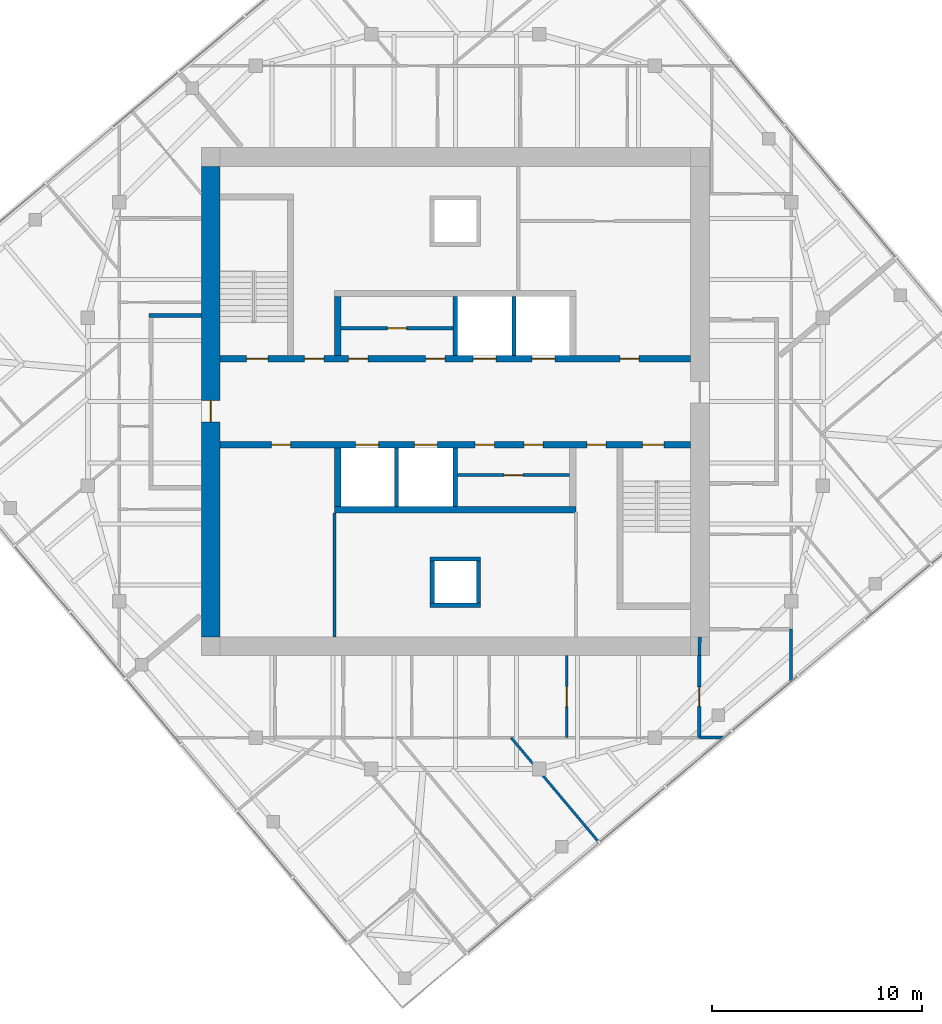
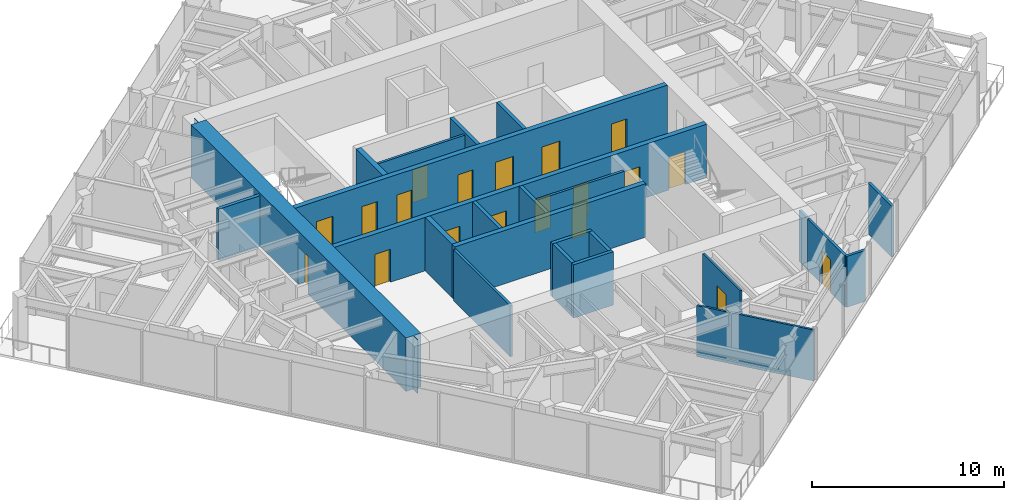
# One storey, part 8 of 12: 24 walls, 19 doors, 19 openings.
"""IFC4 building model written with IfcOpenShell, lengths in metres."""

from ifc_helpers import new_model, si_unit, direction, frame, frame_2d, origin, place, context, subcontext, project, spatial, polyline, rectangle, outline, extrude, material, layer, layer_set, type_object, element, fill, save


model = new_model("IFC4")

# Units and contexts
model_context = context("Model", 3, precision=1e-05, world=origin(), true_north=direction((0.0, 1.0)))
body_context = subcontext(model_context, "Body", "Model", "MODEL_VIEW")
ifc_project = project(units=[si_unit("LENGTHUNIT", "METRE"), si_unit("AREAUNIT", "SQUARE_METRE"), si_unit("VOLUMEUNIT", "CUBIC_METRE"), si_unit("PLANEANGLEUNIT", "RADIAN"), si_unit("MASSUNIT", "GRAM", prefix="KILO")], contexts=[model_context])

# Site, building, storey
site_placement = place(None, origin())
site = spatial("IfcSite", under=ifc_project, at=site_placement, CompositionType="ELEMENT")
building_placement = place(site_placement, origin())
building = spatial("IfcBuilding", under=site, at=building_placement, Name="Torsade Residences", CompositionType="ELEMENT")
storey_placement = place(building_placement, frame((0.0, 0.0, 286.199951171875)))
storey = spatial("IfcBuildingStorey", under=building, at=storey_placement, Name="L79", CompositionType="ELEMENT", Elevation=286.199951171875)

# Wall, openings, doors
ifc_material_1 = material(Name="Concrete 80 MPa", Category="concrete")
ifc_layer_1 = layer(ifc_material_1, 0.300048828125)
ifc_layer_set_1 = layer_set([ifc_layer_1], Name="Concrete 80 MPa")
wall_type_1 = type_object("IfcWallType", Name="CORE INTERNAL WALL 300", PredefinedType="SHEAR", material=ifc_layer_set_1)
wall_1_placement = place(storey_placement, frame((28.800048828125, 32.050048828125, 0.0), z_axis=(0.0, 0.0, 1.0), x_axis=(1.0, 0.0, 0.0)))
wall_1 = element("IfcWall", 1, at=wall_1_placement, inside=storey, type_object=wall_type_1, Name="Core wall LN L79", PredefinedType="SHEAR", context=body_context, shape_type="SweptSolid", body=[
    extrude(rectangle(XDim=22.39990234375, YDim=0.300048828125, at=frame_2d((11.199951171875, 0.0))), origin(), (0.0, 0.0, 1.0), 3.400146484375),
])
opening_1_placement = place(wall_1_placement, frame((19.0400390625, 0.0, 0.0)))
opening_1 = element("IfcOpeningElement", 2, at=opening_1_placement, cuts=wall_1, Name="Opening D06", PredefinedType="OPENING", context=body_context, shape_type="SweptSolid", body=[
    extrude(rectangle(XDim=0.919921875, YDim=2.10009765625, at=frame_2d((0.4599609375, 1.050048828125))), frame((0.0, 0.159912109375, 0.0), z_axis=(0.0, -1.0, 0.0), x_axis=(1.0, 0.0, 0.0)), (0.0, 0.0, 1.0), 0.320068359375),
])
opening_2_placement = place(wall_1_placement, frame((1.264892578125, 0.0, 0.0)))
opening_2 = element("IfcOpeningElement", 3, at=opening_2_placement, cuts=wall_1, Name="Opening D03", PredefinedType="OPENING", context=body_context, shape_type="SweptSolid", body=[
    extrude(rectangle(XDim=1.02001953125, YDim=2.10009765625, at=frame_2d((0.510009765625, 1.050048828125))), frame((0.0, 0.159912109375, 0.0), z_axis=(0.0, -1.0, 0.0), x_axis=(1.0, 0.0, 0.0)), (0.0, 0.0, 1.0), 0.320068359375),
])
opening_3_placement = place(wall_1_placement, frame((4.014892578125, 0.0, 0.0)))
opening_3 = element("IfcOpeningElement", 4, at=opening_3_placement, cuts=wall_1, Name="Opening D06", PredefinedType="OPENING", context=body_context, shape_type="SweptSolid", body=[
    extrude(rectangle(XDim=0.919921875, YDim=2.10009765625, at=frame_2d((0.4599609375, 1.050048828125))), frame((0.0, 0.159912109375, 0.0), z_axis=(0.0, -1.0, 0.0), x_axis=(1.0, 0.0, 0.0)), (0.0, 0.0, 1.0), 0.320068359375),
])
opening_4_placement = place(wall_1_placement, frame((6.114990234375, 0.0, 0.0)))
opening_4 = element("IfcOpeningElement", 5, at=opening_4_placement, cuts=wall_1, Name="Opening D06", PredefinedType="OPENING", context=body_context, shape_type="SweptSolid", body=[
    extrude(rectangle(XDim=0.919921875, YDim=2.10009765625, at=frame_2d((0.4599609375, 1.050048828125))), frame((0.0, 0.159912109375, 0.0), z_axis=(0.0, -1.0, 0.0), x_axis=(1.0, 0.0, 0.0)), (0.0, 0.0, 1.0), 0.320068359375),
])
opening_5_placement = place(wall_1_placement, frame((9.7900390625, 0.0, 0.0)))
opening_5 = element("IfcOpeningElement", 6, at=opening_5_placement, cuts=wall_1, Name="Opening D06", PredefinedType="OPENING", context=body_context, shape_type="SweptSolid", body=[
    extrude(rectangle(XDim=0.919921875, YDim=2.10009765625, at=frame_2d((0.4599609375, 1.050048828125))), frame((0.0, 0.159912109375, 0.0), z_axis=(0.0, -1.0, 0.0), x_axis=(1.0, 0.0, 0.0)), (0.0, 0.0, 1.0), 0.320068359375),
])
opening_6_placement = place(wall_1_placement, frame((12.050048828125, 0.0, 0.0)))
opening_6 = element("IfcOpeningElement", 7, at=opening_6_placement, cuts=wall_1, Name="Opening LD", PredefinedType="OPENING", context=body_context, shape_type="SweptSolid", body=[
    extrude(rectangle(XDim=1.10009765625, YDim=2.10009765625, at=frame_2d((0.550048828125, 1.050048828125))), frame((0.0, 0.159912109375, 0.0), z_axis=(0.0, -1.0, 0.0), x_axis=(1.0, 0.0, 0.0)), (0.0, 0.0, 1.0), 0.320068359375),
])
opening_7_placement = place(wall_1_placement, frame((14.85009765625, 0.0, 0.0)))
opening_7 = element("IfcOpeningElement", 8, at=opening_7_placement, cuts=wall_1, Name="Opening LD", PredefinedType="OPENING", context=body_context, shape_type="SweptSolid", body=[
    extrude(rectangle(XDim=1.10009765625, YDim=2.10009765625, at=frame_2d((0.550048828125, 1.050048828125))), frame((0.0, 0.159912109375, 0.0), z_axis=(0.0, -1.0, 0.0), x_axis=(1.0, 0.0, 0.0)), (0.0, 0.0, 1.0), 0.320068359375),
])
ifc_material_2 = material(Name="Steel-framed fire door", Category="steel")
door_type_1 = type_object("IfcDoorType", Name="FIRE DOOR 1020", OperationType="NOTDEFINED", PredefinedType="DOOR", material=ifc_material_2)
door_1_placement = place(opening_2_placement, origin())
door_1 = element("IfcDoor", 9, at=door_1_placement, inside=storey, type_object=door_type_1, Name="Exit door to fire-isolated stair ST1 L79", OperationType="SINGLE_SWING_RIGHT", OverallHeight=2.10009765625, OverallWidth=1.02001953125, PredefinedType="DOOR", context=body_context, shape_type="SweptSolid", body=[
    extrude(rectangle(XDim=1.02001953125, YDim=2.10009765625, at=frame_2d((0.510009765625, 1.050048828125))), frame((0.0, 0.02490234375, 0.0), z_axis=(0.0, -1.0, 0.0), x_axis=(1.0, 0.0, 0.0)), (0.0, 0.0, 1.0), 0.050048828125),
])
fill(opening_2, door_1)
ifc_material_3 = material(Name="Steel-framed fire door", Category="steel")
door_type_2 = type_object("IfcDoorType", Name="FIRE DOOR 920", OperationType="NOTDEFINED", PredefinedType="DOOR", material=ifc_material_3)
door_2_placement = place(opening_1_placement, origin())
door_2 = element("IfcDoor", 10, at=door_2_placement, inside=storey, type_object=door_type_2, Name="Door Lift lobby to Refuse room", OperationType="SINGLE_SWING_LEFT", OverallHeight=2.10009765625, OverallWidth=0.919921875, PredefinedType="DOOR", context=body_context, shape_type="SweptSolid", body=[
    extrude(rectangle(XDim=0.919921875, YDim=2.10009765625, at=frame_2d((0.4599609375, 1.050048828125))), frame((0.0, 0.02490234375, 0.0), z_axis=(0.0, -1.0, 0.0), x_axis=(1.0, 0.0, 0.0)), (0.0, 0.0, 1.0), 0.050048828125),
])
fill(opening_1, door_2)
door_3_placement = place(opening_3_placement, origin())
door_3 = element("IfcDoor", 11, at=door_3_placement, inside=storey, type_object=door_type_2, Name="Door Lift lobby to Electrical riser room", OperationType="SINGLE_SWING_LEFT", OverallHeight=2.10009765625, OverallWidth=0.919921875, PredefinedType="DOOR", context=body_context, shape_type="SweptSolid", body=[
    extrude(rectangle(XDim=0.919921875, YDim=2.10009765625, at=frame_2d((0.4599609375, 1.050048828125))), frame((0.0, 0.02490234375, 0.0), z_axis=(0.0, -1.0, 0.0), x_axis=(1.0, 0.0, 0.0)), (0.0, 0.0, 1.0), 0.050048828125),
])
fill(opening_3, door_3)
door_4_placement = place(opening_4_placement, origin())
door_4 = element("IfcDoor", 12, at=door_4_placement, inside=storey, type_object=door_type_2, Name="Door Lift lobby to Communications room L79A", OperationType="SINGLE_SWING_LEFT", OverallHeight=2.10009765625, OverallWidth=0.919921875, PredefinedType="DOOR", context=body_context, shape_type="SweptSolid", body=[
    extrude(rectangle(XDim=0.919921875, YDim=2.10009765625, at=frame_2d((0.4599609375, 1.050048828125))), frame((0.0, 0.02490234375, 0.0), z_axis=(0.0, -1.0, 0.0), x_axis=(1.0, 0.0, 0.0)), (0.0, 0.0, 1.0), 0.050048828125),
])
fill(opening_4, door_4)
door_5_placement = place(opening_5_placement, origin())
door_5 = element("IfcDoor", 13, at=door_5_placement, inside=storey, type_object=door_type_2, Name="Door Lift lobby to Communications room L79A", OperationType="SINGLE_SWING_RIGHT", OverallHeight=2.10009765625, OverallWidth=0.919921875, PredefinedType="DOOR", context=body_context, shape_type="SweptSolid", body=[
    extrude(rectangle(XDim=0.919921875, YDim=2.10009765625, at=frame_2d((0.4599609375, 1.050048828125))), frame((0.0, 0.02490234375, 0.0), z_axis=(0.0, -1.0, 0.0), x_axis=(1.0, 0.0, 0.0)), (0.0, 0.0, 1.0), 0.050048828125),
])
fill(opening_5, door_5)
ifc_material_4 = material(Name="Stainless steel lift landing door", Category="steel")
door_type_3 = type_object("IfcDoorType", Name="LIFT LANDING DOOR 1100", OperationType="SLIDING_TO_LEFT", PredefinedType="DOOR", material=ifc_material_4)
door_6_placement = place(opening_6_placement, origin())
door_6 = element("IfcDoor", 14, at=door_6_placement, inside=storey, type_object=door_type_3, Name="Lift LA3 landing door L79", OperationType="SLIDING_TO_LEFT", OverallHeight=2.10009765625, OverallWidth=1.10009765625, PredefinedType="DOOR", context=body_context, shape_type="SweptSolid", body=[
    extrude(rectangle(XDim=1.10009765625, YDim=2.10009765625, at=frame_2d((0.550048828125, 1.050048828125))), frame((0.0, 0.02490234375, 0.0), z_axis=(0.0, -1.0, 0.0), x_axis=(1.0, 0.0, 0.0)), (0.0, 0.0, 1.0), 0.050048828125),
])
fill(opening_6, door_6)
door_7_placement = place(opening_7_placement, origin())
door_7 = element("IfcDoor", 15, at=door_7_placement, inside=storey, type_object=door_type_3, Name="Lift FL1 landing door L79", OperationType="SLIDING_TO_LEFT", OverallHeight=2.10009765625, OverallWidth=1.10009765625, PredefinedType="DOOR", context=body_context, shape_type="SweptSolid", body=[
    extrude(rectangle(XDim=1.10009765625, YDim=2.10009765625, at=frame_2d((0.550048828125, 1.050048828125))), frame((0.0, 0.02490234375, 0.0), z_axis=(0.0, -1.0, 0.0), x_axis=(1.0, 0.0, 0.0)), (0.0, 0.0, 1.0), 0.050048828125),
])
fill(opening_7, door_7)

wall_2_placement = place(storey_placement, frame((51.199951171875, 27.949951171875, 0.0), z_axis=(0.0, 0.0, 1.0), x_axis=(-1.0, 0.0, 0.0)))
wall_2 = element("IfcWall", 16, at=wall_2_placement, inside=storey, type_object=wall_type_1, Name="Core wall LS L79", PredefinedType="SHEAR", context=body_context, shape_type="SweptSolid", body=[
    extrude(rectangle(XDim=22.39990234375, YDim=0.300048828125, at=frame_2d((11.199951171875, 0.0))), origin(), (0.0, 0.0, 1.0), 3.400146484375),
])
opening_8_placement = place(wall_2_placement, frame((19.0400390625, 0.0, 0.0)))
opening_8 = element("IfcOpeningElement", 17, at=opening_8_placement, cuts=wall_2, Name="Opening D06", PredefinedType="OPENING", context=body_context, shape_type="SweptSolid", body=[
    extrude(rectangle(XDim=0.919921875, YDim=2.10009765625, at=frame_2d((0.4599609375, 1.050048828125))), frame((0.0, 0.159912109375, 0.0), z_axis=(0.0, -1.0, 0.0), x_axis=(1.0, 0.0, 0.0)), (0.0, 0.0, 1.0), 0.320068359375),
])
opening_9_placement = place(wall_2_placement, frame((1.264892578125, 0.0, 0.0)))
opening_9 = element("IfcOpeningElement", 18, at=opening_9_placement, cuts=wall_2, Name="Opening D03", PredefinedType="OPENING", context=body_context, shape_type="SweptSolid", body=[
    extrude(rectangle(XDim=1.02001953125, YDim=2.10009765625, at=frame_2d((0.510009765625, 1.050048828125))), frame((0.0, 0.159912109375, 0.0), z_axis=(0.0, -1.0, 0.0), x_axis=(1.0, 0.0, 0.0)), (0.0, 0.0, 1.0), 0.320068359375),
])
opening_10_placement = place(wall_2_placement, frame((4.014892578125, 0.0, 0.0)))
opening_10 = element("IfcOpeningElement", 19, at=opening_10_placement, cuts=wall_2, Name="Opening D06", PredefinedType="OPENING", context=body_context, shape_type="SweptSolid", body=[
    extrude(rectangle(XDim=0.919921875, YDim=2.10009765625, at=frame_2d((0.4599609375, 1.050048828125))), frame((0.0, 0.159912109375, 0.0), z_axis=(0.0, -1.0, 0.0), x_axis=(1.0, 0.0, 0.0)), (0.0, 0.0, 1.0), 0.320068359375),
])
opening_11_placement = place(wall_2_placement, frame((9.340087890625, 0.0, 0.0)))
opening_11 = element("IfcOpeningElement", 20, at=opening_11_placement, cuts=wall_2, Name="Opening D06", PredefinedType="OPENING", context=body_context, shape_type="SweptSolid", body=[
    extrude(rectangle(XDim=0.919921875, YDim=2.10009765625, at=frame_2d((0.4599609375, 1.050048828125))), frame((0.0, 0.159912109375, 0.0), z_axis=(0.0, -1.0, 0.0), x_axis=(1.0, 0.0, 0.0)), (0.0, 0.0, 1.0), 0.320068359375),
])
opening_12_placement = place(wall_2_placement, frame((7.014892578125, 0.0, 0.0)))
opening_12 = element("IfcOpeningElement", 21, at=opening_12_placement, cuts=wall_2, Name="Opening D06", PredefinedType="OPENING", context=body_context, shape_type="SweptSolid", body=[
    extrude(rectangle(XDim=0.919921875, YDim=2.10009765625, at=frame_2d((0.4599609375, 1.050048828125))), frame((0.0, 0.159912109375, 0.0), z_axis=(0.0, -1.0, 0.0), x_axis=(1.0, 0.0, 0.0)), (0.0, 0.0, 1.0), 0.320068359375),
])
opening_13_placement = place(wall_2_placement, frame((12.050048828125, 0.0, 0.0)))
opening_13 = element("IfcOpeningElement", 22, at=opening_13_placement, cuts=wall_2, Name="Opening LD", PredefinedType="OPENING", context=body_context, shape_type="SweptSolid", body=[
    extrude(rectangle(XDim=1.10009765625, YDim=2.10009765625, at=frame_2d((0.550048828125, 1.050048828125))), frame((0.0, 0.159912109375, 0.0), z_axis=(0.0, -1.0, 0.0), x_axis=(1.0, 0.0, 0.0)), (0.0, 0.0, 1.0), 0.320068359375),
])
opening_14_placement = place(wall_2_placement, frame((14.85009765625, 0.0, 0.0)))
opening_14 = element("IfcOpeningElement", 23, at=opening_14_placement, cuts=wall_2, Name="Opening LD", PredefinedType="OPENING", context=body_context, shape_type="SweptSolid", body=[
    extrude(rectangle(XDim=1.10009765625, YDim=2.10009765625, at=frame_2d((0.550048828125, 1.050048828125))), frame((0.0, 0.159912109375, 0.0), z_axis=(0.0, -1.0, 0.0), x_axis=(1.0, 0.0, 0.0)), (0.0, 0.0, 1.0), 0.320068359375),
])
door_8_placement = place(opening_9_placement, origin())
door_8 = element("IfcDoor", 24, at=door_8_placement, inside=storey, type_object=door_type_1, Name="Exit door to fire-isolated stair ST2 L79", OperationType="SINGLE_SWING_RIGHT", OverallHeight=2.10009765625, OverallWidth=1.02001953125, PredefinedType="DOOR", context=body_context, shape_type="SweptSolid", body=[
    extrude(rectangle(XDim=1.02001953125, YDim=2.10009765625, at=frame_2d((0.510009765625, 1.050048828125))), frame((0.0, 0.02490234375, 0.0), z_axis=(0.0, -1.0, 0.0), x_axis=(1.0, 0.0, 0.0)), (0.0, 0.0, 1.0), 0.050048828125),
])
fill(opening_9, door_8)
door_9_placement = place(opening_8_placement, origin())
door_9 = element("IfcDoor", 25, at=door_9_placement, inside=storey, type_object=door_type_2, Name="Door Lift lobby to Cleaner store", OperationType="SINGLE_SWING_LEFT", OverallHeight=2.10009765625, OverallWidth=0.919921875, PredefinedType="DOOR", context=body_context, shape_type="SweptSolid", body=[
    extrude(rectangle(XDim=0.919921875, YDim=2.10009765625, at=frame_2d((0.4599609375, 1.050048828125))), frame((0.0, 0.02490234375, 0.0), z_axis=(0.0, -1.0, 0.0), x_axis=(1.0, 0.0, 0.0)), (0.0, 0.0, 1.0), 0.050048828125),
])
fill(opening_8, door_9)
door_10_placement = place(opening_10_placement, origin())
door_10 = element("IfcDoor", 26, at=door_10_placement, inside=storey, type_object=door_type_2, Name="Door Lift lobby to Security and data store", OperationType="SINGLE_SWING_RIGHT", OverallHeight=2.10009765625, OverallWidth=0.919921875, PredefinedType="DOOR", context=body_context, shape_type="SweptSolid", body=[
    extrude(rectangle(XDim=0.919921875, YDim=2.10009765625, at=frame_2d((0.4599609375, 1.050048828125))), frame((0.0, 0.02490234375, 0.0), z_axis=(0.0, -1.0, 0.0), x_axis=(1.0, 0.0, 0.0)), (0.0, 0.0, 1.0), 0.050048828125),
])
fill(opening_10, door_10)
door_11_placement = place(opening_11_placement, origin())
door_11 = element("IfcDoor", 27, at=door_11_placement, inside=storey, type_object=door_type_2, Name="Door Lift lobby to IT equipment room L79C", OperationType="SINGLE_SWING_LEFT", OverallHeight=2.10009765625, OverallWidth=0.919921875, PredefinedType="DOOR", context=body_context, shape_type="SweptSolid", body=[
    extrude(rectangle(XDim=0.919921875, YDim=2.10009765625, at=frame_2d((0.4599609375, 1.050048828125))), frame((0.0, 0.02490234375, 0.0), z_axis=(0.0, -1.0, 0.0), x_axis=(1.0, 0.0, 0.0)), (0.0, 0.0, 1.0), 0.050048828125),
])
fill(opening_11, door_11)
door_12_placement = place(opening_12_placement, origin())
door_12 = element("IfcDoor", 28, at=door_12_placement, inside=storey, type_object=door_type_2, Name="Door Lift lobby to IT equipment room L79C", OperationType="SINGLE_SWING_RIGHT", OverallHeight=2.10009765625, OverallWidth=0.919921875, PredefinedType="DOOR", context=body_context, shape_type="SweptSolid", body=[
    extrude(rectangle(XDim=0.919921875, YDim=2.10009765625, at=frame_2d((0.4599609375, 1.050048828125))), frame((0.0, 0.02490234375, 0.0), z_axis=(0.0, -1.0, 0.0), x_axis=(1.0, 0.0, 0.0)), (0.0, 0.0, 1.0), 0.050048828125),
])
fill(opening_12, door_12)
door_13_placement = place(opening_13_placement, origin())
door_13 = element("IfcDoor", 29, at=door_13_placement, inside=storey, type_object=door_type_3, Name="Lift LB3 landing door L79", OperationType="SLIDING_TO_LEFT", OverallHeight=2.10009765625, OverallWidth=1.10009765625, PredefinedType="DOOR", context=body_context, shape_type="SweptSolid", body=[
    extrude(rectangle(XDim=1.10009765625, YDim=2.10009765625, at=frame_2d((0.550048828125, 1.050048828125))), frame((0.0, 0.02490234375, 0.0), z_axis=(0.0, -1.0, 0.0), x_axis=(1.0, 0.0, 0.0)), (0.0, 0.0, 1.0), 0.050048828125),
])
fill(opening_13, door_13)
door_14_placement = place(opening_14_placement, origin())
door_14 = element("IfcDoor", 30, at=door_14_placement, inside=storey, type_object=door_type_3, Name="Lift FL2 landing door L79", OperationType="SLIDING_TO_LEFT", OverallHeight=2.10009765625, OverallWidth=1.10009765625, PredefinedType="DOOR", context=body_context, shape_type="SweptSolid", body=[
    extrude(rectangle(XDim=1.10009765625, YDim=2.10009765625, at=frame_2d((0.550048828125, 1.050048828125))), frame((0.0, 0.02490234375, 0.0), z_axis=(0.0, -1.0, 0.0), x_axis=(1.0, 0.0, 0.0)), (0.0, 0.0, 1.0), 0.050048828125),
])
fill(opening_14, door_14)

# Walls
wall_3_placement = place(storey_placement, frame((45.75, 24.85009765625, 0.0), z_axis=(0.0, 0.0, 1.0), x_axis=(-1.0, 0.0, 0.0)))
element("IfcWall", 31, at=wall_3_placement, inside=storey, type_object=wall_type_1, Name="Core wall BS L79", PredefinedType="SHEAR", context=body_context, shape_type="SweptSolid", body=[
    extrude(rectangle(XDim=11.5, YDim=0.300048828125, at=frame_2d((5.75, 0.0))), origin(), (0.0, 0.0, 1.0), 3.400146484375),
])
for number, where, z_axis, x_axis, name in (
    (32, (34.39990234375, 32.199951171875, 0.0), (0.0, 0.0, 1.0), (0.0, 1.0, 0.0), "Core wall DN0 L79"),
    (33, (34.39990234375, 27.800048828125, 0.0), (0.0, 0.0, 1.0), (0.0, -1.0, 0.0), "Core wall DS4 L79"),
):
    element("IfcWall", number, at=place(storey_placement, frame(where, z_axis=z_axis, x_axis=x_axis)), inside=storey, type_object=wall_type_1, Name=name, PredefinedType="SHEAR", context=body_context, shape_type="SweptSolid", body=[
        extrude(rectangle(XDim=2.800048828125, YDim=0.300048828125, at=frame_2d((1.39990234375, 0.0))), origin(), (0.0, 0.0, 1.0), 3.400146484375),
    ])

# Wall, opening, door
ifc_material_5 = material(Name="Concrete 80 MPa", Category="concrete")
ifc_layer_2 = layer(ifc_material_5, 0.89990234375)
ifc_layer_set_2 = layer_set([ifc_layer_2], Name="Concrete 80 MPa")
wall_type_2 = type_object("IfcWallType", Name="CORE WALL 900", PredefinedType="SHEAR", material=ifc_layer_set_2)
wall_4_placement = place(storey_placement, frame((28.35009765625, 41.199951171875, 0.0), z_axis=(0.0, 0.0, 1.0), x_axis=(0.0, -1.0, 0.0)))
wall_4 = element("IfcWall", 34, at=wall_4_placement, inside=storey, type_object=wall_type_2, Name="Core wall W L79", PredefinedType="SHEAR", context=body_context, shape_type="SweptSolid", body=[
    extrude(outline(polyline([(0.0, -0.449951171875), (22.39990234375, -0.449951171875), (22.39990234375, -0.02490234375), (22.849853515625, -0.02490234375), (22.849853515625, 0.02490234375), (22.39990234375, 0.02490234375), (22.39990234375, 0.449951171875), (0.0, 0.449951171875), (0.0, 0.02490234375), (-0.449951171875, 0.02490234375), (-0.449951171875, -0.02490234375), (0.0, -0.02490234375), (0.0, -0.449951171875)])), origin(), (0.0, 0.0, 1.0), 3.400146484375),
])
opening_15_placement = place(wall_4_placement, frame((11.139892578125, 0.0, 0.0)))
opening_15 = element("IfcOpeningElement", 35, at=opening_15_placement, cuts=wall_4, Name="Opening D04", PredefinedType="OPENING", context=body_context, shape_type="SweptSolid", body=[
    extrude(rectangle(XDim=1.02001953125, YDim=2.39990234375, at=frame_2d((0.510009765625, 1.199951171875))), frame((0.0, 0.4599609375, 0.0), z_axis=(0.0, -1.0, 0.0), x_axis=(1.0, 0.0, 0.0)), (0.0, 0.0, 1.0), 0.919921875),
])
ifc_material_6 = material(Name="Steel-framed fire door", Category="steel")
door_type_4 = type_object("IfcDoorType", Name="LOBBY SMOKE DOOR 1020x2400", OperationType="NOTDEFINED", PredefinedType="DOOR", material=ifc_material_6)
door_15_placement = place(opening_15_placement, origin())
door_15 = element("IfcDoor", 36, at=door_15_placement, inside=storey, type_object=door_type_4, Name="Lift lobby door W L79", OperationType="SINGLE_SWING_RIGHT", OverallHeight=2.39990234375, OverallWidth=1.02001953125, PredefinedType="DOOR", context=body_context, shape_type="SweptSolid", body=[
    extrude(rectangle(XDim=1.02001953125, YDim=2.39990234375, at=frame_2d((0.510009765625, 1.199951171875))), frame((0.0, 0.02490234375, 0.0), z_axis=(0.0, -1.0, 0.0), x_axis=(1.0, 0.0, 0.0)), (0.0, 0.0, 1.0), 0.050048828125),
])
fill(opening_15, door_15)

# Walls
ifc_material_7 = material(Name="Plasterboard on steel stud", Category="steel")
ifc_layer_3 = layer(ifc_material_7, 0.199951171875)
ifc_layer_set_3 = layer_set([ifc_layer_3], Name="Plasterboard on steel stud")
wall_type_3 = type_object("IfcWallType", Name="CORRIDOR WALL 200", PredefinedType="PARTITIONING", material=ifc_layer_set_3)
wall_5_placement = place(storey_placement, frame((27.89990234375, 34.10009765625, 0.0), z_axis=(0.0, 0.0, 1.0), x_axis=(-1.0, 0.0, 0.0)))
element("IfcWall", 37, at=wall_5_placement, inside=storey, type_object=wall_type_3, Name="Corridor wall L79", PredefinedType="PARTITIONING", context=body_context, shape_type="SweptSolid", body=[
    extrude(rectangle(XDim=2.5, YDim=0.199951171875, at=frame_2d((1.25, 0.0))), origin(), (0.0, 0.0, 1.0), 3.25),
])
ifc_material_8 = material(Name="Reinforced blockwork", Category="masonry")
ifc_layer_4 = layer(ifc_material_8, 0.199951171875)
ifc_layer_set_4 = layer_set([ifc_layer_4], Name="Reinforced blockwork")
wall_type_4 = type_object("IfcWallType", Name="LIFT SHAFT DIVIDING WALL 200", PredefinedType="SOLIDWALL", material=ifc_layer_set_4)
for number, where, z_axis, x_axis, name in (
    (38, (40.0, 32.199951171875, 0.0), (0.0, 0.0, 1.0), (0.0, 1.0, 0.0), "Core wall DN2 L79"),
    (39, (40.0, 27.800048828125, 0.0), (0.0, 0.0, 1.0), (0.0, -1.0, 0.0), "Core wall DS2 L79"),
    (40, (42.800048828125, 32.199951171875, 0.0), (0.0, 0.0, 1.0), (0.0, 1.0, 0.0), "Core wall DN3 L79"),
    (41, (37.199951171875, 27.800048828125, 0.0), (0.0, 0.0, 1.0), (0.0, -1.0, 0.0), "Core wall DS3 L79"),
):
    element("IfcWall", number, at=place(storey_placement, frame(where, z_axis=z_axis, x_axis=x_axis)), inside=storey, type_object=wall_type_4, Name=name, PredefinedType="SOLIDWALL", context=body_context, shape_type="SweptSolid", body=[
        extrude(rectangle(XDim=2.800048828125, YDim=0.199951171875, at=frame_2d((1.39990234375, 0.0))), origin(), (0.0, 0.0, 1.0), 3.400146484375),
    ])

# Wall, opening, door
ifc_material_9 = material(Name="Plasterboard on steel stud", Category="steel")
ifc_layer_5 = layer(ifc_material_9, 0.1201171875)
ifc_layer_set_5 = layer_set([ifc_layer_5], Name="Plasterboard on steel stud")
wall_type_5 = type_object("IfcWallType", Name="PARTITION 120", PredefinedType="PARTITIONING", material=ifc_layer_set_5)
wall_6_placement = place(storey_placement, frame((45.30126953125, 17.89990234375, 0.0), z_axis=(0.0, 0.0, 1.0), x_axis=(0.0, -1.0, 0.0)))
wall_6 = element("IfcWall", 42, at=wall_6_placement, inside=storey, type_object=wall_type_5, Name="Partition L79", PredefinedType="PARTITIONING", context=body_context, shape_type="SweptSolid", body=[
    extrude(rectangle(XDim=3.89990234375, YDim=0.1201171875, at=frame_2d((1.949951171875, 0.0))), origin(), (0.0, 0.0, 1.0), 3.25),
])
opening_16_placement = place(wall_6_placement, frame((1.469970703125, 0.0, 0.0)))
opening_16 = element("IfcOpeningElement", 43, at=opening_16_placement, cuts=wall_6, Name="Opening D05", PredefinedType="OPENING", context=body_context, shape_type="SweptSolid", body=[
    extrude(rectangle(XDim=0.9599609375, YDim=2.10009765625, at=frame_2d((0.47998046875, 1.050048828125))), frame((0.0, 0.070068359375, 0.0), z_axis=(0.0, -1.0, 0.0), x_axis=(1.0, 0.0, 0.0)), (0.0, 0.0, 1.0), 0.14013671875),
])
ifc_material_10 = material(Name="Hollow-core timber door in a steel cavity frame", Category="steel")
door_type_5 = type_object("IfcDoorType", Name="BATHROOM CAVITY SLIDING DOOR 960", OperationType="SLIDING_TO_LEFT", PredefinedType="DOOR", material=ifc_material_10)
door_16_placement = place(opening_16_placement, origin())
door_16 = element("IfcDoor", 44, at=door_16_placement, inside=storey, type_object=door_type_5, Name="Door Walk-in robe to Ensuite", OperationType="SLIDING_TO_LEFT", OverallHeight=2.10009765625, OverallWidth=0.9599609375, PredefinedType="DOOR", context=body_context, shape_type="SweptSolid", body=[
    extrude(rectangle(XDim=0.9599609375, YDim=2.10009765625, at=frame_2d((0.47998046875, 1.050048828125))), frame((0.0, 0.02490234375, 0.0), z_axis=(0.0, -1.0, 0.0), x_axis=(1.0, 0.0, 0.0)), (0.0, 0.0, 1.0), 0.050048828125),
])
fill(opening_16, door_16)

# Walls
wall_7_placement = place(storey_placement, frame((42.656005859375, 14.0, 0.0), z_axis=(0.0, 0.0, 1.0), x_axis=(0.642779498388, -0.766051249233, 0.0)))
element("IfcWall", 45, at=wall_7_placement, inside=storey, type_object=wall_type_5, Name="Partition L79", PredefinedType="PARTITIONING", context=body_context, shape_type="SweptSolid", body=[
    extrude(rectangle(XDim=6.49609375, YDim=0.1201171875, at=frame_2d((3.248046875, 0.0))), origin(), (0.0, 0.0, 1.0), 3.25),
])
ifc_material_11 = material(Name="Reinforced blockwork", Category="masonry")
ifc_layer_6 = layer(ifc_material_11, 0.199951171875)
ifc_layer_set_6 = layer_set([ifc_layer_6], Name="Reinforced blockwork")
wall_type_6 = type_object("IfcWallType", Name="RISER SHAFT WALL 200", PredefinedType="SOLIDWALL", material=ifc_layer_set_6)
for number, where, z_axis, x_axis, name in (
    (46, (38.89990234375, 22.39990234375, 0.0), (0.0, 0.0, 1.0), (0.0, -1.0, 0.0), "Core wall RS2a L79"),
    (47, (41.10009765625, 22.39990234375, 0.0), (0.0, 0.0, 1.0), (0.0, -1.0, 0.0), "Core wall RS2b L79"),
):
    element("IfcWall", number, at=place(storey_placement, frame(where, z_axis=z_axis, x_axis=x_axis)), inside=storey, type_object=wall_type_6, Name=name, PredefinedType="SOLIDWALL", context=body_context, shape_type="SweptSolid", body=[
        extrude(rectangle(XDim=2.0, YDim=0.199951171875, at=frame_2d((1.0, 0.0))), origin(), (0.0, 0.0, 1.0), 3.400146484375),
    ])
for number, where, z_axis, x_axis, name in (
    (48, (38.800048828125, 22.5, 0.0), (0.0, 0.0, 1.0), (1.0, 0.0, 0.0), "Core wall RS2c L79"),
    (49, (38.800048828125, 20.300048828125, 0.0), (0.0, 0.0, 1.0), (1.0, 0.0, 0.0), "Core wall RS2d L79"),
):
    element("IfcWall", number, at=place(storey_placement, frame(where, z_axis=z_axis, x_axis=x_axis)), inside=storey, type_object=wall_type_6, Name=name, PredefinedType="SOLIDWALL", context=body_context, shape_type="SweptSolid", body=[
        extrude(rectangle(XDim=2.39990234375, YDim=0.199951171875, at=frame_2d((1.199951171875, 0.0))), origin(), (0.0, 0.0, 1.0), 3.400146484375),
    ])
ifc_material_12 = material(Name="Reinforced blockwork", Category="masonry")
ifc_layer_7 = layer(ifc_material_12, 0.14990234375)
ifc_layer_set_7 = layer_set([ifc_layer_7], Name="Reinforced blockwork")
wall_type_7 = type_object("IfcWallType", Name="SERVICE ROOM WALL 150", PredefinedType="SOLIDWALL", material=ifc_layer_set_7)
wall_8_placement = place(storey_placement, frame((34.25, 18.800048828125, 0.0), z_axis=(0.0, 0.0, 1.0), x_axis=(0.0, 1.0, 0.0)))
element("IfcWall", 50, at=wall_8_placement, inside=storey, type_object=wall_type_7, Name="Service room wall L79", PredefinedType="SOLIDWALL", context=body_context, shape_type="SweptSolid", body=[
    extrude(rectangle(XDim=5.89990234375, YDim=0.14990234375, at=frame_2d((2.949951171875, 0.0))), origin(), (0.0, 0.0, 1.0), 3.25),
])

# Wall, opening, door
wall_9_placement = place(storey_placement, frame((51.624755859375, 14.0, 0.0), z_axis=(0.0, 0.0, 1.0), x_axis=(0.0, 1.0, 0.0)))
wall_9 = element("IfcWall", 51, at=wall_9_placement, inside=storey, type_object=wall_type_7, Name="Service room wall L79", PredefinedType="SOLIDWALL", context=body_context, shape_type="SweptSolid", body=[
    extrude(rectangle(XDim=3.89990234375, YDim=0.14990234375, at=frame_2d((1.949951171875, 0.0))), origin(), (0.0, 0.0, 1.0), 3.25),
])
opening_17_placement = place(wall_9_placement, frame((1.489990234375, 0.0, 0.0)))
opening_17 = element("IfcOpeningElement", 52, at=opening_17_placement, cuts=wall_9, Name="Opening D02L", PredefinedType="OPENING", context=body_context, shape_type="SweptSolid", body=[
    extrude(rectangle(XDim=0.919921875, YDim=2.10009765625, at=frame_2d((0.4599609375, 1.050048828125))), frame((0.0, 0.0849609375, 0.0), z_axis=(0.0, -1.0, 0.0), x_axis=(1.0, 0.0, 0.0)), (0.0, 0.0, 1.0), 0.169921875),
])
ifc_material_13 = material(Name="Hollow-core timber door", Category="wood")
door_type_6 = type_object("IfcDoorType", Name="INTERNAL DOOR 920x2100", OperationType="NOTDEFINED", PredefinedType="DOOR", material=ifc_material_13)
door_17_placement = place(opening_17_placement, origin())
door_17 = element("IfcDoor", 53, at=door_17_placement, inside=storey, type_object=door_type_6, Name="Door Linen store 2 to Walk-in robe", OperationType="SINGLE_SWING_RIGHT", OverallHeight=2.10009765625, OverallWidth=0.919921875, PredefinedType="DOOR", context=body_context, shape_type="SweptSolid", body=[
    extrude(rectangle(XDim=0.919921875, YDim=2.10009765625, at=frame_2d((0.4599609375, 1.050048828125))), frame((0.0, 0.02490234375, 0.0), z_axis=(0.0, -1.0, 0.0), x_axis=(1.0, 0.0, 0.0)), (0.0, 0.0, 1.0), 0.050048828125),
])
fill(opening_17, door_17)

# Walls
wall_10_placement = place(storey_placement, frame((52.761962890625, 14.0, 0.0), z_axis=(0.0, 0.0, 1.0), x_axis=(-1.0, 0.0, 0.0)))
element("IfcWall", 54, at=wall_10_placement, inside=storey, type_object=wall_type_7, Name="Service room wall L79", PredefinedType="SOLIDWALL", context=body_context, shape_type="SweptSolid", body=[
    extrude(rectangle(XDim=1.13720703125, YDim=0.14990234375, at=frame_2d((0.568603515625, 0.0))), origin(), (0.0, 0.0, 1.0), 3.25),
])
wall_11_placement = place(storey_placement, frame((56.0, 19.161865234375, 0.0), z_axis=(0.0, 0.0, 1.0), x_axis=(0.0, -1.0, 0.0)))
element("IfcWall", 55, at=wall_11_placement, inside=storey, type_object=wall_type_7, Name="Service room wall L79", PredefinedType="SOLIDWALL", context=body_context, shape_type="SweptSolid", body=[
    extrude(rectangle(XDim=2.44482421875, YDim=0.14990234375, at=frame_2d((1.222412109375, 0.0))), origin(), (0.0, 0.0, 1.0), 3.25),
])
wall_12_placement = place(storey_placement, frame((51.624755859375, 17.89990234375, 0.0), z_axis=(0.0, 0.0, 1.0), x_axis=(0.027925096799, 0.999610018442, 0.0)))
element("IfcWall", 56, at=wall_12_placement, inside=storey, type_object=wall_type_7, Name="Service room wall L79", PredefinedType="SOLIDWALL", context=body_context, shape_type="SweptSolid", body=[
    extrude(rectangle(XDim=0.900390625, YDim=0.14990234375, at=frame_2d((0.4501953125, 0.0))), origin(), (0.0, 0.0, 1.0), 3.25),
])

# Wall, opening, door
wall_13_placement = place(storey_placement, frame((34.550048828125, 33.5, 0.0), z_axis=(0.0, 0.0, 1.0), x_axis=(1.0, 0.0, 0.0)))
wall_13 = element("IfcWall", 57, at=wall_13_placement, inside=storey, type_object=wall_type_7, Name="Service room wall L79", PredefinedType="SOLIDWALL", context=body_context, shape_type="SweptSolid", body=[
    extrude(rectangle(XDim=5.349853515625, YDim=0.14990234375, at=frame_2d((2.6748046875, 0.0))), origin(), (0.0, 0.0, 1.0), 3.25),
])
opening_18_placement = place(wall_13_placement, frame((2.215087890625, 0.0, 0.0)))
opening_18 = element("IfcOpeningElement", 58, at=opening_18_placement, cuts=wall_13, Name="Opening D06", PredefinedType="OPENING", context=body_context, shape_type="SweptSolid", body=[
    extrude(rectangle(XDim=0.919921875, YDim=2.10009765625, at=frame_2d((0.4599609375, 1.050048828125))), frame((0.0, 0.0849609375, 0.0), z_axis=(0.0, -1.0, 0.0), x_axis=(1.0, 0.0, 0.0)), (0.0, 0.0, 1.0), 0.169921875),
])
door_18_placement = place(opening_18_placement, origin())
door_18 = element("IfcDoor", 59, at=door_18_placement, inside=storey, type_object=door_type_2, Name="Door Communications room L79A to Records store L79B", OperationType="SINGLE_SWING_RIGHT", OverallHeight=2.10009765625, OverallWidth=0.919921875, PredefinedType="DOOR", context=body_context, shape_type="SweptSolid", body=[
    extrude(rectangle(XDim=0.919921875, YDim=2.10009765625, at=frame_2d((0.4599609375, 1.050048828125))), frame((0.0, 0.02490234375, 0.0), z_axis=(0.0, -1.0, 0.0), x_axis=(1.0, 0.0, 0.0)), (0.0, 0.0, 1.0), 0.050048828125),
])
fill(opening_18, door_18)

wall_14_placement = place(storey_placement, frame((40.10009765625, 26.5, 0.0), z_axis=(0.0, 0.0, 1.0), x_axis=(1.0, 0.0, 0.0)))
wall_14 = element("IfcWall", 60, at=wall_14_placement, inside=storey, type_object=wall_type_7, Name="Service room wall L79", PredefinedType="SOLIDWALL", context=body_context, shape_type="SweptSolid", body=[
    extrude(rectangle(XDim=5.349853515625, YDim=0.14990234375, at=frame_2d((2.6748046875, 0.0))), origin(), (0.0, 0.0, 1.0), 3.25),
])
opening_19_placement = place(wall_14_placement, frame((2.215087890625, 0.0, 0.0)))
opening_19 = element("IfcOpeningElement", 61, at=opening_19_placement, cuts=wall_14, Name="Opening D06", PredefinedType="OPENING", context=body_context, shape_type="SweptSolid", body=[
    extrude(rectangle(XDim=0.919921875, YDim=2.10009765625, at=frame_2d((0.4599609375, 1.050048828125))), frame((0.0, 0.0849609375, 0.0), z_axis=(0.0, -1.0, 0.0), x_axis=(1.0, 0.0, 0.0)), (0.0, 0.0, 1.0), 0.169921875),
])
door_19_placement = place(opening_19_placement, origin())
door_19 = element("IfcDoor", 62, at=door_19_placement, inside=storey, type_object=door_type_2, Name="Door IT equipment room L79C to Records store L79D", OperationType="SINGLE_SWING_LEFT", OverallHeight=2.10009765625, OverallWidth=0.919921875, PredefinedType="DOOR", context=body_context, shape_type="SweptSolid", body=[
    extrude(rectangle(XDim=0.919921875, YDim=2.10009765625, at=frame_2d((0.4599609375, 1.050048828125))), frame((0.0, 0.02490234375, 0.0), z_axis=(0.0, -1.0, 0.0), x_axis=(1.0, 0.0, 0.0)), (0.0, 0.0, 1.0), 0.050048828125),
])
fill(opening_19, door_19)

save(model, "model.ifc")
